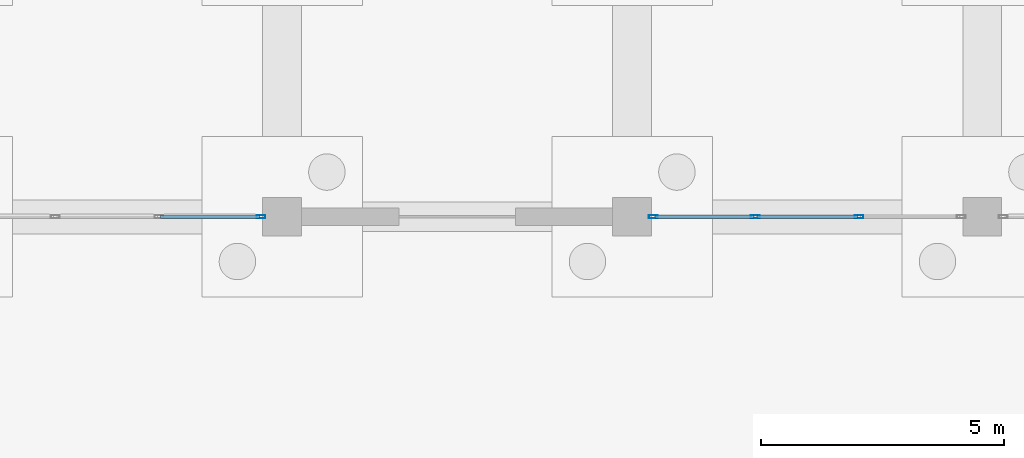
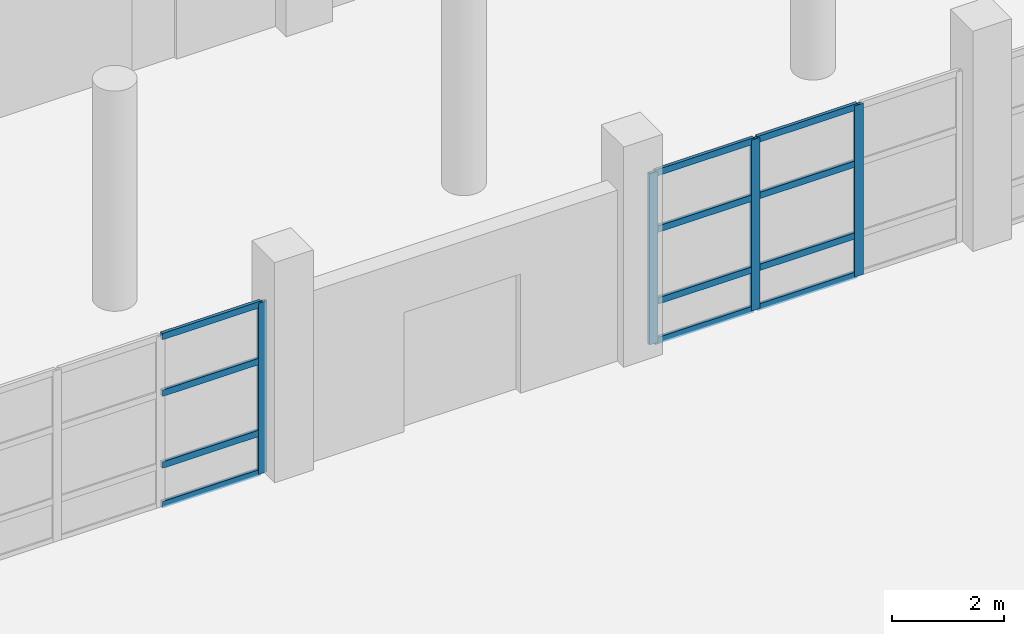
# One storey, part 23 of 42: 16 members, 2 elements without a shape of their own.
"""IFC4 building model written with IfcOpenShell, lengths in metres."""

from ifc_helpers import new_model, si_unit, direction, frame, origin, origin_2d, place, context, subcontext, project, spatial, hollow_rectangle, extrude, material, material_profile, profile_set, type_object, element, aggregate, save


model = new_model("IFC4")

# Units and contexts
model_context = context("Model", 3, precision=1e-05, world=origin(), true_north=direction((0.0, 1.0)))
body_context = subcontext(model_context, "Body", "Model", "MODEL_VIEW")
ifc_project = project(units=[si_unit("LENGTHUNIT", "METRE"), si_unit("AREAUNIT", "SQUARE_METRE"), si_unit("VOLUMEUNIT", "CUBIC_METRE"), si_unit("PLANEANGLEUNIT", "RADIAN"), si_unit("MASSUNIT", "GRAM", prefix="KILO")], contexts=[model_context])

# Site, building, storey
site_placement = place(None, origin())
site = spatial("IfcSite", under=ifc_project, at=site_placement, CompositionType="ELEMENT")
building_placement = place(site_placement, origin())
building = spatial("IfcBuilding", under=site, at=building_placement, Name="Pellamere Symphony Hall", CompositionType="ELEMENT")
storey_placement = place(building_placement, frame((0.0, 0.0, -4.800048828125)))
storey = spatial("IfcBuildingStorey", under=building, at=storey_placement, Name="B1", CompositionType="ELEMENT", Elevation=-4.800048828125)

# Curtain wall, member
ifc_material_1 = material(Name="Thermally Broken Anodised Aluminium 6063-T6 Curtain Wall", Category="aluminium")
curtain_wall_type = type_object("IfcCurtainWallType", Name="Curtain Wall CW-02 (Winter-Garden South Concourse Curtain Wall)", PredefinedType="NOTDEFINED", material=ifc_material_1)
curtain_wall_1_placement = place(storey_placement, origin())
curtain_wall_1 = element("IfcCurtainWall", 1, at=curtain_wall_1_placement, inside=storey, type_object=curtain_wall_type, Name="Winter-Garden South Curtain Wall (B1 Bay 6)", PredefinedType="NOTDEFINED")
ifc_material_2 = material(Name="Anodised Architectural Aluminium 6063-T6", Category="aluminium")
ifc_material_profile_1 = material_profile(ifc_material_2, hollow_rectangle(XDim=0.06494140625, YDim=0.179931640625, WallThickness=0.00390625, at=origin_2d()), Name="ALU-M65X180X4")
ifc_profile_set_1 = profile_set([ifc_material_profile_1], Name="Anodised Architectural Aluminium 6063-T6")
member_type_1 = type_object("IfcMemberType", Name="Curtain Wall Mullion ML-02 ALU-M65X180X4", PredefinedType="MULLION", material=ifc_profile_set_1)
member_1_placement = place(storey_placement, frame((94.367431640625, 18.0, 0.0), z_axis=(0.0, 0.0, 1.0), x_axis=(0.0, 1.0, 0.0)))
member_1 = element("IfcMember", 2, at=member_1_placement, type_object=member_type_1, Name="CW2-061 crystal mullion 4", PredefinedType="MULLION", context=body_context, shape_type="SweptSolid", body=[
    extrude(hollow_rectangle(XDim=0.06494140625, YDim=0.179931640625, WallThickness=0.00390625, at=origin_2d()), origin(), (0.0, 0.0, 1.0), 3.72998046875),
])

# Curtain wall, members
curtain_wall_2_placement = place(storey_placement, origin())
curtain_wall_2 = element("IfcCurtainWall", 3, at=curtain_wall_2_placement, inside=storey, type_object=curtain_wall_type, Name="Winter-Garden South Curtain Wall (B1 Bay 8)", PredefinedType="NOTDEFINED")
member_2_placement = place(storey_placement, frame((102.4326171875, 18.0, 0.0), z_axis=(0.0, 0.0, 1.0), x_axis=(0.0, 1.0, 0.0)))
member_2 = element("IfcMember", 4, at=member_2_placement, type_object=member_type_1, Name="CW2-062 crystal mullion 1", PredefinedType="MULLION", context=body_context, shape_type="SweptSolid", body=[
    extrude(hollow_rectangle(XDim=0.06494140625, YDim=0.179931640625, WallThickness=0.00390625, at=origin_2d()), origin(), (0.0, 0.0, 1.0), 3.72998046875),
])
member_3_placement = place(storey_placement, frame((104.533447265625, 18.0, 0.0), z_axis=(0.0, 0.0, 1.0), x_axis=(0.0, 1.0, 0.0)))
member_3 = element("IfcMember", 5, at=member_3_placement, type_object=member_type_1, Name="CW2-062 crystal mullion 2", PredefinedType="MULLION", context=body_context, shape_type="SweptSolid", body=[
    extrude(hollow_rectangle(XDim=0.06494140625, YDim=0.179931640625, WallThickness=0.00390625, at=origin_2d()), origin(), (0.0, 0.0, 1.0), 3.72998046875),
])
member_4_placement = place(storey_placement, frame((106.666748046875, 18.0, 0.0), z_axis=(0.0, 0.0, 1.0), x_axis=(0.0, 1.0, 0.0)))
member_4 = element("IfcMember", 6, at=member_4_placement, type_object=member_type_1, Name="CW2-062 crystal mullion 3", PredefinedType="MULLION", context=body_context, shape_type="SweptSolid", body=[
    extrude(hollow_rectangle(XDim=0.06494140625, YDim=0.179931640625, WallThickness=0.00390625, at=origin_2d()), origin(), (0.0, 0.0, 1.0), 3.72998046875),
])

# Member
ifc_material_profile_2 = material_profile(ifc_material_2, hollow_rectangle(XDim=0.06494140625, YDim=0.139892578125, WallThickness=0.00390625, at=origin_2d()), Name="ALU-T65X140X4")
ifc_profile_set_2 = profile_set([ifc_material_profile_2], Name="Anodised Architectural Aluminium 6063-T6")
member_type_2 = type_object("IfcMemberType", Name="Curtain Wall Transom TR-02 ALU-T65X140X4", PredefinedType="USERDEFINED", material=ifc_profile_set_2)
member_5_placement = place(storey_placement, frame((92.299072265625, 18.0, 0.032470703125), z_axis=(1.0, 0.0, 0.0), x_axis=(0.0, 1.0, 0.0)))
member_5 = element("IfcMember", 7, at=member_5_placement, type_object=member_type_2, Name="CW2-061 crystal transom 3.1", ObjectType="TRANSOM", PredefinedType="USERDEFINED", context=body_context, shape_type="SweptSolid", body=[
    extrude(hollow_rectangle(XDim=0.06494140625, YDim=0.139892578125, WallThickness=0.00390625, at=origin_2d()), origin(), (0.0, 0.0, 1.0), 2.035888671875),
])

member_6_placement = place(storey_placement, frame((92.299072265625, 18.0, 0.895263671875), z_axis=(1.0, 0.0, 0.0), x_axis=(0.0, 1.0, 0.0)))
member_6 = element("IfcMember", 8, at=member_6_placement, type_object=member_type_2, Name="CW2-061 crystal transom 3.2", ObjectType="TRANSOM", PredefinedType="USERDEFINED", context=body_context, shape_type="SweptSolid", body=[
    extrude(hollow_rectangle(XDim=0.06494140625, YDim=0.139892578125, WallThickness=0.00390625, at=origin_2d()), origin(), (0.0, 0.0, 1.0), 2.035888671875),
])

member_7_placement = place(storey_placement, frame((92.299072265625, 18.0, 2.4619140625), z_axis=(1.0, 0.0, 0.0), x_axis=(0.0, 1.0, 0.0)))
member_7 = element("IfcMember", 9, at=member_7_placement, type_object=member_type_2, Name="CW2-061 crystal transom 3.3", ObjectType="TRANSOM", PredefinedType="USERDEFINED", context=body_context, shape_type="SweptSolid", body=[
    extrude(hollow_rectangle(XDim=0.06494140625, YDim=0.139892578125, WallThickness=0.00390625, at=origin_2d()), origin(), (0.0, 0.0, 1.0), 2.035888671875),
])

member_8_placement = place(storey_placement, frame((92.299072265625, 18.0, 3.697509765625), z_axis=(1.0, 0.0, 0.0), x_axis=(0.0, 1.0, 0.0)))
member_8 = element("IfcMember", 10, at=member_8_placement, type_object=member_type_2, Name="CW2-061 crystal transom 3.4", ObjectType="TRANSOM", PredefinedType="USERDEFINED", context=body_context, shape_type="SweptSolid", body=[
    extrude(hollow_rectangle(XDim=0.06494140625, YDim=0.139892578125, WallThickness=0.00390625, at=origin_2d()), origin(), (0.0, 0.0, 1.0), 2.035888671875),
])

aggregate(curtain_wall_1, [member_1, member_5, member_6, member_7, member_8])

member_9_placement = place(storey_placement, frame((102.465087890625, 18.0, 0.032470703125), z_axis=(1.0, 0.0, 0.0), x_axis=(0.0, 1.0, 0.0)))
member_9 = element("IfcMember", 11, at=member_9_placement, type_object=member_type_2, Name="CW2-062 crystal transom 1.1", ObjectType="TRANSOM", PredefinedType="USERDEFINED", context=body_context, shape_type="SweptSolid", body=[
    extrude(hollow_rectangle(XDim=0.06494140625, YDim=0.139892578125, WallThickness=0.00390625, at=origin_2d()), origin(), (0.0, 0.0, 1.0), 2.03564453125),
])

member_10_placement = place(storey_placement, frame((102.465087890625, 18.0, 0.895263671875), z_axis=(1.0, 0.0, 0.0), x_axis=(0.0, 1.0, 0.0)))
member_10 = element("IfcMember", 12, at=member_10_placement, type_object=member_type_2, Name="CW2-062 crystal transom 1.2", ObjectType="TRANSOM", PredefinedType="USERDEFINED", context=body_context, shape_type="SweptSolid", body=[
    extrude(hollow_rectangle(XDim=0.06494140625, YDim=0.139892578125, WallThickness=0.00390625, at=origin_2d()), origin(), (0.0, 0.0, 1.0), 2.03564453125),
])

member_11_placement = place(storey_placement, frame((102.465087890625, 18.0, 2.4619140625), z_axis=(1.0, 0.0, 0.0), x_axis=(0.0, 1.0, 0.0)))
member_11 = element("IfcMember", 13, at=member_11_placement, type_object=member_type_2, Name="CW2-062 crystal transom 1.3", ObjectType="TRANSOM", PredefinedType="USERDEFINED", context=body_context, shape_type="SweptSolid", body=[
    extrude(hollow_rectangle(XDim=0.06494140625, YDim=0.139892578125, WallThickness=0.00390625, at=origin_2d()), origin(), (0.0, 0.0, 1.0), 2.03564453125),
])

member_12_placement = place(storey_placement, frame((102.465087890625, 18.0, 3.697509765625), z_axis=(1.0, 0.0, 0.0), x_axis=(0.0, 1.0, 0.0)))
member_12 = element("IfcMember", 14, at=member_12_placement, type_object=member_type_2, Name="CW2-062 crystal transom 1.4", ObjectType="TRANSOM", PredefinedType="USERDEFINED", context=body_context, shape_type="SweptSolid", body=[
    extrude(hollow_rectangle(XDim=0.06494140625, YDim=0.139892578125, WallThickness=0.00390625, at=origin_2d()), origin(), (0.0, 0.0, 1.0), 2.03564453125),
])

member_13_placement = place(storey_placement, frame((104.56591796875, 18.0, 0.032470703125), z_axis=(1.0, 0.0, 0.0), x_axis=(0.0, 1.0, 0.0)))
member_13 = element("IfcMember", 15, at=member_13_placement, type_object=member_type_2, Name="CW2-062 crystal transom 2.1", ObjectType="TRANSOM", PredefinedType="USERDEFINED", context=body_context, shape_type="SweptSolid", body=[
    extrude(hollow_rectangle(XDim=0.06494140625, YDim=0.139892578125, WallThickness=0.00390625, at=origin_2d()), origin(), (0.0, 0.0, 1.0), 2.068359375),
])

member_14_placement = place(storey_placement, frame((104.56591796875, 18.0, 0.895263671875), z_axis=(1.0, 0.0, 0.0), x_axis=(0.0, 1.0, 0.0)))
member_14 = element("IfcMember", 16, at=member_14_placement, type_object=member_type_2, Name="CW2-062 crystal transom 2.2", ObjectType="TRANSOM", PredefinedType="USERDEFINED", context=body_context, shape_type="SweptSolid", body=[
    extrude(hollow_rectangle(XDim=0.06494140625, YDim=0.139892578125, WallThickness=0.00390625, at=origin_2d()), origin(), (0.0, 0.0, 1.0), 2.068359375),
])

member_15_placement = place(storey_placement, frame((104.56591796875, 18.0, 2.4619140625), z_axis=(1.0, 0.0, 0.0), x_axis=(0.0, 1.0, 0.0)))
member_15 = element("IfcMember", 17, at=member_15_placement, type_object=member_type_2, Name="CW2-062 crystal transom 2.3", ObjectType="TRANSOM", PredefinedType="USERDEFINED", context=body_context, shape_type="SweptSolid", body=[
    extrude(hollow_rectangle(XDim=0.06494140625, YDim=0.139892578125, WallThickness=0.00390625, at=origin_2d()), origin(), (0.0, 0.0, 1.0), 2.068359375),
])

member_16_placement = place(storey_placement, frame((104.56591796875, 18.0, 3.697509765625), z_axis=(1.0, 0.0, 0.0), x_axis=(0.0, 1.0, 0.0)))
member_16 = element("IfcMember", 18, at=member_16_placement, type_object=member_type_2, Name="CW2-062 crystal transom 2.4", ObjectType="TRANSOM", PredefinedType="USERDEFINED", context=body_context, shape_type="SweptSolid", body=[
    extrude(hollow_rectangle(XDim=0.06494140625, YDim=0.139892578125, WallThickness=0.00390625, at=origin_2d()), origin(), (0.0, 0.0, 1.0), 2.068359375),
])

aggregate(curtain_wall_2, [member_2, member_3, member_4, member_9, member_10, member_11, member_12, member_13, member_14, member_15, member_16])

save(model, "model.ifc")
